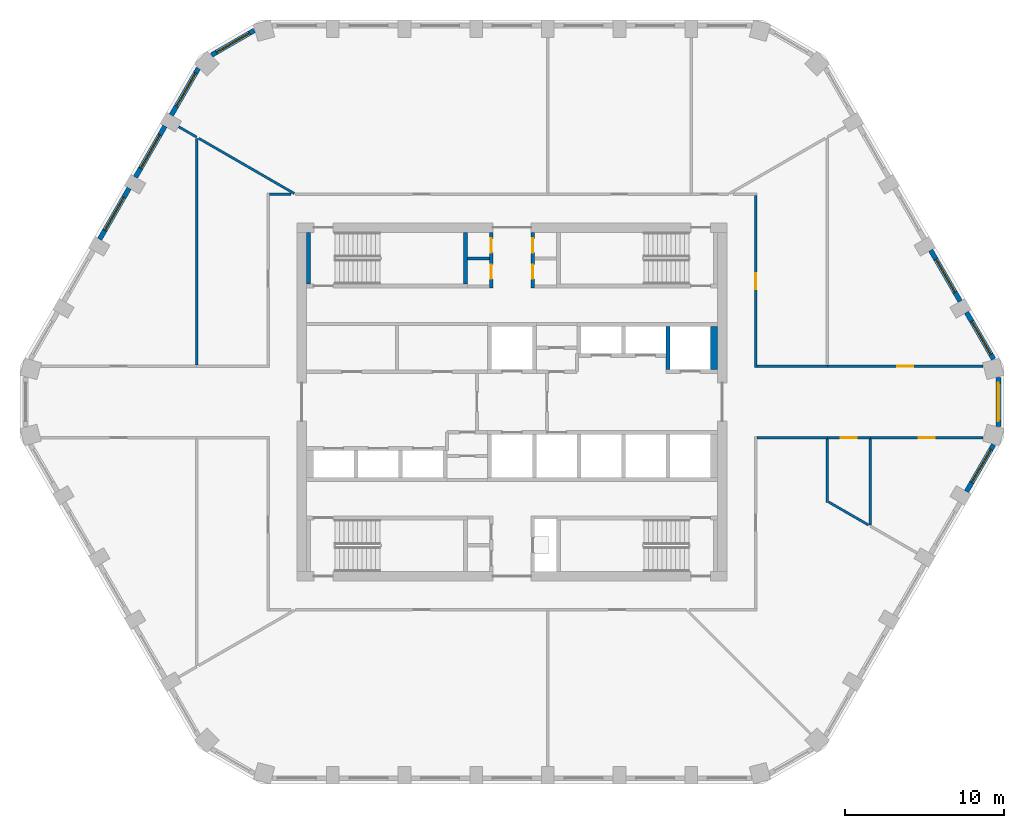
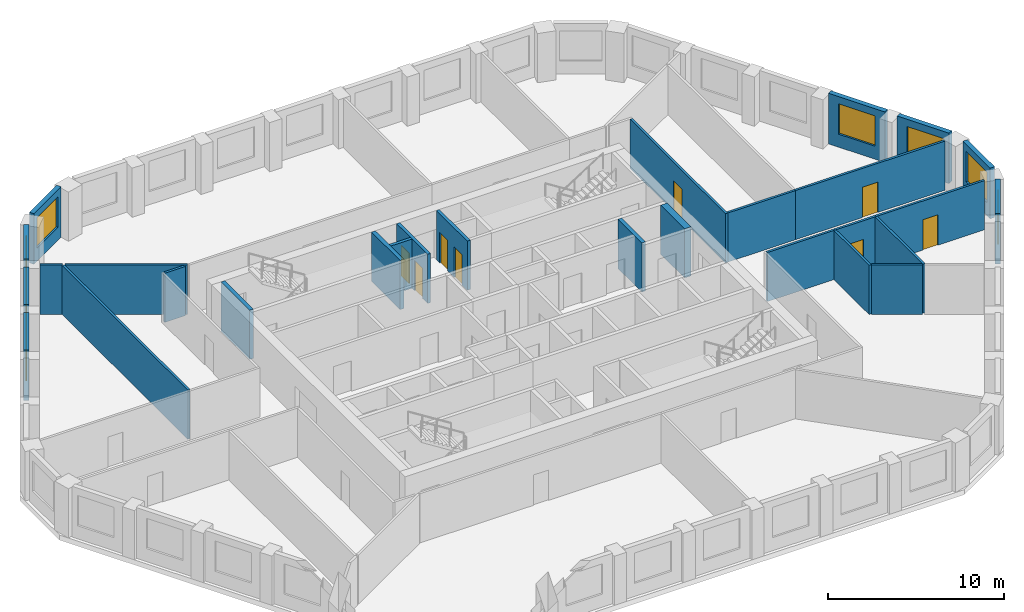
# One storey, part 5 of 8: 28 walls, 8 doors, 8 windows, 16 openings.
"""IFC4 building model written with IfcOpenShell, lengths in metres."""

from ifc_helpers import new_model, si_unit, direction, frame, frame_2d, origin, place, context, subcontext, project, spatial, polyline, rectangle, outline, extrude, material, layer, layer_set, type_object, element, fill, save


model = new_model("IFC4")

# Units and contexts
model_context = context("Model", 3, precision=1e-05, world=origin(), true_north=direction((0.0, 1.0)))
body_context = subcontext(model_context, "Body", "Model", "MODEL_VIEW")
ifc_project = project(units=[si_unit("LENGTHUNIT", "METRE"), si_unit("AREAUNIT", "SQUARE_METRE"), si_unit("VOLUMEUNIT", "CUBIC_METRE"), si_unit("PLANEANGLEUNIT", "RADIAN"), si_unit("MASSUNIT", "GRAM", prefix="KILO")], contexts=[model_context])

# Site, building, storey
site_placement = place(None, origin())
site = spatial("IfcSite", under=ifc_project, at=site_placement, CompositionType="ELEMENT")
building_placement = place(site_placement, origin())
building = spatial("IfcBuilding", under=site, at=building_placement, Name="Dhurran Vertical Campus", CompositionType="ELEMENT")
storey_placement = place(building_placement, frame((0.0, 0.0, 226.800048828125)))
storey = spatial("IfcBuildingStorey", under=building, at=storey_placement, Name="L56", CompositionType="ELEMENT", Elevation=226.800048828125)

# Wall, opening, window
ifc_material_1 = material(Name="Precast concrete C50/60", Category="concrete")
ifc_layer_1 = layer(ifc_material_1, 0.300048828125)
ifc_layer_set_1 = layer_set([ifc_layer_1], Name="Precast concrete C50/60")
wall_type_1 = type_object("IfcWallType", Name="Precast spandrel wall 300", PredefinedType="SOLIDWALL", material=ifc_layer_set_1)
wall_1_placement = place(storey_placement, frame((28.544189453125, -5.625244140625, 0.0), z_axis=(0.0, 0.0, 1.0), x_axis=(0.500012868213, 0.866017974191, 0.0)))
wall_1 = element("IfcWall", 1, at=wall_1_placement, inside=storey, type_object=wall_type_1, Name="EW1 L56.12", PredefinedType="SOLIDWALL", context=body_context, shape_type="SweptSolid", body=[
    extrude(rectangle(XDim=3.39599609375, YDim=0.300048828125, at=frame_2d((1.697998046875, 0.0))), origin(), (0.0, 0.0, 1.0), 3.5),
])
opening_1_placement = place(wall_1_placement, frame((0.6494140625, 0.0, 0.89990234375)))
opening_1 = element("IfcOpeningElement", 2, at=opening_1_placement, cuts=wall_1, Name="Opening WT1", PredefinedType="OPENING", context=body_context, shape_type="SweptSolid", body=[
    extrude(rectangle(XDim=2.39990234375, YDim=2.10009765625, at=frame_2d((1.199951171875, 1.050048828125))), frame((0.0, 0.159912109375, 0.0), z_axis=(0.0, -1.0, 0.0), x_axis=(1.0, 0.0, 0.0)), (0.0, 0.0, 1.0), 0.320068359375),
])
ifc_material_2 = material(Name="Aluminium frame with solar-control glass", Category="aluminium")
window_type = type_object("IfcWindowType", Name="Punched window 2400 x 2100", PartitioningType="SINGLE_PANEL", PredefinedType="WINDOW", material=ifc_material_2)
window_1_placement = place(opening_1_placement, origin())
window_1 = element("IfcWindow", 3, at=window_1_placement, inside=storey, type_object=window_type, Name="WT1 L56.12", OverallHeight=2.10009765625, OverallWidth=2.39990234375, PartitioningType="SINGLE_PANEL", PredefinedType="WINDOW", context=body_context, shape_type="SweptSolid", body=[
    extrude(rectangle(XDim=2.39990234375, YDim=2.10009765625, at=frame_2d((1.199951171875, 1.050048828125))), frame((0.0, 0.030029296875, 0.0), z_axis=(0.0, -1.0, 0.0), x_axis=(1.0, 0.0, 0.0)), (0.0, 0.0, 1.0), 0.06005859375),
])
fill(opening_1, window_1)

wall_2_placement = place(storey_placement, frame((30.547119140625, -1.54638671875, 0.0), z_axis=(0.0, 0.0, 1.0), x_axis=(0.0, 1.0, 0.0)))
wall_2 = element("IfcWall", 4, at=wall_2_placement, inside=storey, type_object=wall_type_1, Name="EW1 L56.13", PredefinedType="SOLIDWALL", context=body_context, shape_type="SweptSolid", body=[
    extrude(rectangle(XDim=3.0927734375, YDim=0.300048828125, at=frame_2d((1.54638671875, 0.0))), origin(), (0.0, 0.0, 1.0), 3.5),
])
opening_2_placement = place(wall_2_placement, frame((0.34619140625, 0.0, 0.89990234375)))
opening_2 = element("IfcOpeningElement", 5, at=opening_2_placement, cuts=wall_2, Name="Opening WT1", PredefinedType="OPENING", context=body_context, shape_type="SweptSolid", body=[
    extrude(rectangle(XDim=2.39990234375, YDim=2.10009765625, at=frame_2d((1.199951171875, 1.050048828125))), frame((0.0, 0.159912109375, 0.0), z_axis=(0.0, -1.0, 0.0), x_axis=(1.0, 0.0, 0.0)), (0.0, 0.0, 1.0), 0.320068359375),
])
window_2_placement = place(opening_2_placement, origin())
window_2 = element("IfcWindow", 6, at=window_2_placement, inside=storey, type_object=window_type, Name="WT1 L56.13", OverallHeight=2.10009765625, OverallWidth=2.39990234375, PartitioningType="SINGLE_PANEL", PredefinedType="WINDOW", context=body_context, shape_type="SweptSolid", body=[
    extrude(rectangle(XDim=2.39990234375, YDim=2.10009765625, at=frame_2d((1.199951171875, 1.050048828125))), frame((0.0, 0.030029296875, 0.0), z_axis=(0.0, -1.0, 0.0), x_axis=(1.0, 0.0, 0.0)), (0.0, 0.0, 1.0), 0.06005859375),
])
fill(opening_2, window_2)

wall_3_placement = place(storey_placement, frame((30.2421875, 2.684326171875, 0.0), z_axis=(0.0, 0.0, 1.0), x_axis=(-0.500012868213, 0.866017974191, 0.0)))
wall_3 = element("IfcWall", 7, at=wall_3_placement, inside=storey, type_object=wall_type_1, Name="EW1 L56.14", PredefinedType="SOLIDWALL", context=body_context, shape_type="SweptSolid", body=[
    extrude(rectangle(XDim=3.39599609375, YDim=0.300048828125, at=frame_2d((1.697998046875, 0.0))), origin(), (0.0, 0.0, 1.0), 3.5),
])
opening_3_placement = place(wall_3_placement, frame((0.346435546875, 0.0, 0.89990234375)))
opening_3 = element("IfcOpeningElement", 8, at=opening_3_placement, cuts=wall_3, Name="Opening WT1", PredefinedType="OPENING", context=body_context, shape_type="SweptSolid", body=[
    extrude(rectangle(XDim=2.39990234375, YDim=2.10009765625, at=frame_2d((1.199951171875, 1.050048828125))), frame((0.0, 0.159912109375, 0.0), z_axis=(0.0, -1.0, 0.0), x_axis=(1.0, 0.0, 0.0)), (0.0, 0.0, 1.0), 0.320068359375),
])
window_3_placement = place(opening_3_placement, origin())
window_3 = element("IfcWindow", 9, at=window_3_placement, inside=storey, type_object=window_type, Name="WT1 L56.14", OverallHeight=2.10009765625, OverallWidth=2.39990234375, PartitioningType="SINGLE_PANEL", PredefinedType="WINDOW", context=body_context, shape_type="SweptSolid", body=[
    extrude(rectangle(XDim=2.39990234375, YDim=2.10009765625, at=frame_2d((1.199951171875, 1.050048828125))), frame((0.0, 0.030029296875, 0.0), z_axis=(0.0, -1.0, 0.0), x_axis=(1.0, 0.0, 0.0)), (0.0, 0.0, 1.0), 0.06005859375),
])
fill(opening_3, window_3)

wall_4_placement = place(storey_placement, frame((28.143798828125, 6.319091796875, 0.0), z_axis=(0.0, 0.0, 1.0), x_axis=(-0.500029062817, 0.866008623709, 0.0)))
wall_4 = element("IfcWall", 10, at=wall_4_placement, inside=storey, type_object=wall_type_1, Name="EW1 L56.15", PredefinedType="SOLIDWALL", context=body_context, shape_type="SweptSolid", body=[
    extrude(rectangle(XDim=3.698974609375, YDim=0.300048828125, at=frame_2d((1.849609375, 0.0))), origin(), (0.0, 0.0, 1.0), 3.5),
])
opening_4_placement = place(wall_4_placement, frame((0.6494140625, 0.0, 0.89990234375)))
opening_4 = element("IfcOpeningElement", 11, at=opening_4_placement, cuts=wall_4, Name="Opening WT1", PredefinedType="OPENING", context=body_context, shape_type="SweptSolid", body=[
    extrude(rectangle(XDim=2.39990234375, YDim=2.10009765625, at=frame_2d((1.199951171875, 1.050048828125))), frame((0.0, 0.159912109375, 0.0), z_axis=(0.0, -1.0, 0.0), x_axis=(1.0, 0.0, 0.0)), (0.0, 0.0, 1.0), 0.320068359375),
])
window_4_placement = place(opening_4_placement, origin())
window_4 = element("IfcWindow", 12, at=window_4_placement, inside=storey, type_object=window_type, Name="WT1 L56.15", OverallHeight=2.10009765625, OverallWidth=2.39990234375, PartitioningType="SINGLE_PANEL", PredefinedType="WINDOW", context=body_context, shape_type="SweptSolid", body=[
    extrude(rectangle(XDim=2.39990234375, YDim=2.10009765625, at=frame_2d((1.199951171875, 1.050048828125))), frame((0.0, 0.030029296875, 0.0), z_axis=(0.0, -1.0, 0.0), x_axis=(1.0, 0.0, 0.0)), (0.0, 0.0, 1.0), 0.06005859375),
])
fill(opening_4, window_4)

wall_5_placement = place(storey_placement, frame((-16.184326171875, 23.330810546875, 0.0), z_axis=(0.0, 0.0, 1.0), x_axis=(-0.865994975416, -0.500052699777, 0.0)))
wall_5 = element("IfcWall", 13, at=wall_5_placement, inside=storey, type_object=wall_type_1, Name="EW1 L56.27", PredefinedType="SOLIDWALL", context=body_context, shape_type="SweptSolid", body=[
    extrude(rectangle(XDim=3.093017578125, YDim=0.300048828125, at=frame_2d((1.54638671875, 0.0))), origin(), (0.0, 0.0, 1.0), 3.5),
])
opening_5_placement = place(wall_5_placement, frame((0.346435546875, 0.0, 0.89990234375)))
opening_5 = element("IfcOpeningElement", 14, at=opening_5_placement, cuts=wall_5, Name="Opening WT1", PredefinedType="OPENING", context=body_context, shape_type="SweptSolid", body=[
    extrude(rectangle(XDim=2.39990234375, YDim=2.10009765625, at=frame_2d((1.199951171875, 1.050048828125))), frame((0.0, 0.159912109375, 0.0), z_axis=(0.0, -1.0, 0.0), x_axis=(1.0, 0.0, 0.0)), (0.0, 0.0, 1.0), 0.320068359375),
])
window_5_placement = place(opening_5_placement, origin())
window_5 = element("IfcWindow", 15, at=window_5_placement, inside=storey, type_object=window_type, Name="WT1 L56.27", OverallHeight=2.10009765625, OverallWidth=2.39990234375, PartitioningType="SINGLE_PANEL", PredefinedType="WINDOW", context=body_context, shape_type="SweptSolid", body=[
    extrude(rectangle(XDim=2.39990234375, YDim=2.10009765625, at=frame_2d((1.199951171875, 1.050048828125))), frame((0.0, 0.030029296875, 0.0), z_axis=(0.0, -1.0, 0.0), x_axis=(1.0, 0.0, 0.0)), (0.0, 0.0, 1.0), 0.06005859375),
])
fill(opening_5, window_5)

wall_6_placement = place(storey_placement, frame((-19.69580078125, 20.951171875, 0.0), z_axis=(0.0, 0.0, 1.0), x_axis=(-0.500012868213, -0.866017974191, 0.0)))
wall_6 = element("IfcWall", 16, at=wall_6_placement, inside=storey, type_object=wall_type_1, Name="EW1 L56.28", PredefinedType="SOLIDWALL", context=body_context, shape_type="SweptSolid", body=[
    extrude(rectangle(XDim=3.39599609375, YDim=0.300048828125, at=frame_2d((1.697998046875, 0.0))), origin(), (0.0, 0.0, 1.0), 3.5),
])
opening_6_placement = place(wall_6_placement, frame((0.346435546875, 0.0, 0.89990234375)))
opening_6 = element("IfcOpeningElement", 17, at=opening_6_placement, cuts=wall_6, Name="Opening WT1", PredefinedType="OPENING", context=body_context, shape_type="SweptSolid", body=[
    extrude(rectangle(XDim=2.39990234375, YDim=2.10009765625, at=frame_2d((1.199951171875, 1.050048828125))), frame((0.0, 0.159912109375, 0.0), z_axis=(0.0, -1.0, 0.0), x_axis=(1.0, 0.0, 0.0)), (0.0, 0.0, 1.0), 0.320068359375),
])
window_6_placement = place(opening_6_placement, origin())
window_6 = element("IfcWindow", 18, at=window_6_placement, inside=storey, type_object=window_type, Name="WT1 L56.28", OverallHeight=2.10009765625, OverallWidth=2.39990234375, PartitioningType="SINGLE_PANEL", PredefinedType="WINDOW", context=body_context, shape_type="SweptSolid", body=[
    extrude(rectangle(XDim=2.39990234375, YDim=2.10009765625, at=frame_2d((1.199951171875, 1.050048828125))), frame((0.0, 0.030029296875, 0.0), z_axis=(0.0, -1.0, 0.0), x_axis=(1.0, 0.0, 0.0)), (0.0, 0.0, 1.0), 0.06005859375),
])
fill(opening_6, window_6)

wall_7_placement = place(storey_placement, frame((-21.794189453125, 17.316650390625, 0.0), z_axis=(0.0, 0.0, 1.0), x_axis=(-0.500029062817, -0.866008623709, 0.0)))
wall_7 = element("IfcWall", 19, at=wall_7_placement, inside=storey, type_object=wall_type_1, Name="EW1 L56.29", PredefinedType="SOLIDWALL", context=body_context, shape_type="SweptSolid", body=[
    extrude(rectangle(XDim=3.698974609375, YDim=0.300048828125, at=frame_2d((1.849609375, 0.0))), origin(), (0.0, 0.0, 1.0), 3.5),
])
opening_7_placement = place(wall_7_placement, frame((0.6494140625, 0.0, 0.89990234375)))
opening_7 = element("IfcOpeningElement", 20, at=opening_7_placement, cuts=wall_7, Name="Opening WT1", PredefinedType="OPENING", context=body_context, shape_type="SweptSolid", body=[
    extrude(rectangle(XDim=2.39990234375, YDim=2.10009765625, at=frame_2d((1.199951171875, 1.050048828125))), frame((0.0, 0.159912109375, 0.0), z_axis=(0.0, -1.0, 0.0), x_axis=(1.0, 0.0, 0.0)), (0.0, 0.0, 1.0), 0.320068359375),
])
window_7_placement = place(opening_7_placement, origin())
window_7 = element("IfcWindow", 21, at=window_7_placement, inside=storey, type_object=window_type, Name="WT1 L56.29", OverallHeight=2.10009765625, OverallWidth=2.39990234375, PartitioningType="SINGLE_PANEL", PredefinedType="WINDOW", context=body_context, shape_type="SweptSolid", body=[
    extrude(rectangle(XDim=2.39990234375, YDim=2.10009765625, at=frame_2d((1.199951171875, 1.050048828125))), frame((0.0, 0.030029296875, 0.0), z_axis=(0.0, -1.0, 0.0), x_axis=(1.0, 0.0, 0.0)), (0.0, 0.0, 1.0), 0.06005859375),
])
fill(opening_7, window_7)

wall_8_placement = place(storey_placement, frame((-24.044189453125, 13.41943359375, 0.0), z_axis=(0.0, 0.0, 1.0), x_axis=(-0.500029062817, -0.866008623709, 0.0)))
wall_8 = element("IfcWall", 22, at=wall_8_placement, inside=storey, type_object=wall_type_1, Name="EW1 L56.30", PredefinedType="SOLIDWALL", context=body_context, shape_type="SweptSolid", body=[
    extrude(rectangle(XDim=3.698974609375, YDim=0.300048828125, at=frame_2d((1.849609375, 0.0))), origin(), (0.0, 0.0, 1.0), 3.5),
])
opening_8_placement = place(wall_8_placement, frame((0.6494140625, 0.0, 0.89990234375)))
opening_8 = element("IfcOpeningElement", 23, at=opening_8_placement, cuts=wall_8, Name="Opening WT1", PredefinedType="OPENING", context=body_context, shape_type="SweptSolid", body=[
    extrude(rectangle(XDim=2.39990234375, YDim=2.10009765625, at=frame_2d((1.199951171875, 1.050048828125))), frame((0.0, 0.159912109375, 0.0), z_axis=(0.0, -1.0, 0.0), x_axis=(1.0, 0.0, 0.0)), (0.0, 0.0, 1.0), 0.320068359375),
])
window_8_placement = place(opening_8_placement, origin())
window_8 = element("IfcWindow", 24, at=window_8_placement, inside=storey, type_object=window_type, Name="WT1 L56.30", OverallHeight=2.10009765625, OverallWidth=2.39990234375, PartitioningType="SINGLE_PANEL", PredefinedType="WINDOW", context=body_context, shape_type="SweptSolid", body=[
    extrude(rectangle(XDim=2.39990234375, YDim=2.10009765625, at=frame_2d((1.199951171875, 1.050048828125))), frame((0.0, 0.030029296875, 0.0), z_axis=(0.0, -1.0, 0.0), x_axis=(1.0, 0.0, 0.0)), (0.0, 0.0, 1.0), 0.06005859375),
])
fill(opening_8, window_8)

# Wall
ifc_material_3 = material(Name="Fire-rated masonry blockwork", Category="masonry")
ifc_layer_2 = layer(ifc_material_3, 0.199951171875)
ifc_layer_set_2 = layer_set([ifc_layer_2], Name="Fire-rated masonry blockwork")
wall_type_2 = type_object("IfcWallType", Name="co-FIRE-PARTITION-200", PredefinedType="PARTITIONING", material=ifc_layer_set_2)
wall_9_placement = place(storey_placement, frame((-2.800048828125, 9.0, 0.0), z_axis=(0.0, 0.0, 1.0), x_axis=(1.0, 0.0, 0.0)))
element("IfcWall", 25, at=wall_9_placement, inside=storey, type_object=wall_type_2, Name="Core partition sl-NW-cut0 L56", PredefinedType="PARTITIONING", context=body_context, shape_type="SweptSolid", body=[
    extrude(rectangle(XDim=1.400146484375, YDim=0.199951171875, at=frame_2d((0.7001953125, 0.0))), origin(), (0.0, 0.0, 1.0), 3.39990234375),
])

# Wall, openings, doors
wall_10_placement = place(storey_placement, frame((-1.300048828125, 7.14990234375, 0.0), z_axis=(0.0, 0.0, 1.0), x_axis=(0.0, 1.0, 0.0)))
wall_10 = element("IfcWall", 26, at=wall_10_placement, inside=storey, type_object=wall_type_2, Name="Core partition vest-NW L56", PredefinedType="PARTITIONING", context=body_context, shape_type="SweptSolid", body=[
    extrude(rectangle(XDim=3.5, YDim=0.199951171875, at=frame_2d((1.75, 0.0))), origin(), (0.0, 0.0, 1.0), 3.39990234375),
])
opening_9_placement = place(wall_10_placement, frame((0.574951171875, 0.0, 0.0)))
opening_9 = element("IfcOpeningElement", 27, at=opening_9_placement, cuts=wall_10, Name="Opening T16-C4", PredefinedType="OPENING", context=body_context, shape_type="SweptSolid", body=[
    extrude(rectangle(XDim=0.89990234375, YDim=2.10009765625, at=frame_2d((0.449951171875, 1.050048828125))), frame((0.0, 0.10986328125, 0.0), z_axis=(0.0, -1.0, 0.0), x_axis=(1.0, 0.0, 0.0)), (0.0, 0.0, 1.0), 0.219970703125),
])
opening_10_placement = place(wall_10_placement, frame((2.22509765625, 0.0, 0.0)))
opening_10 = element("IfcOpeningElement", 28, at=opening_10_placement, cuts=wall_10, Name="Opening T16-C5", PredefinedType="OPENING", context=body_context, shape_type="SweptSolid", body=[
    extrude(rectangle(XDim=0.89990234375, YDim=2.10009765625, at=frame_2d((0.449951171875, 1.050048828125))), frame((0.0, 0.10986328125, 0.0), z_axis=(0.0, -1.0, 0.0), x_axis=(1.0, 0.0, 0.0)), (0.0, 0.0, 1.0), 0.219970703125),
])
ifc_material_4 = material(Name="Fire-rated timber door set", Category="wood")
door_type_1 = type_object("IfcDoorType", Name="co-D-ROOM 900x2100", OperationType="SINGLE_SWING_LEFT", PredefinedType="DOOR", material=ifc_material_4)
door_1_placement = place(opening_9_placement, origin())
door_1 = element("IfcDoor", 29, at=door_1_placement, inside=storey, type_object=door_type_1, Name="Fire equipment store door L56", OperationType="SINGLE_SWING_LEFT", OverallHeight=2.10009765625, OverallWidth=0.89990234375, PredefinedType="DOOR", context=body_context, shape_type="SweptSolid", body=[
    extrude(rectangle(XDim=0.89990234375, YDim=2.10009765625, at=frame_2d((0.449951171875, 1.050048828125))), frame((0.0, 0.02490234375, 0.0), z_axis=(0.0, -1.0, 0.0), x_axis=(1.0, 0.0, 0.0)), (0.0, 0.0, 1.0), 0.050048828125),
])
fill(opening_9, door_1)
door_2_placement = place(opening_10_placement, origin())
door_2 = element("IfcDoor", 30, at=door_2_placement, inside=storey, type_object=door_type_1, Name="Cleaner's store door L56", OperationType="SINGLE_SWING_LEFT", OverallHeight=2.10009765625, OverallWidth=0.89990234375, PredefinedType="DOOR", context=body_context, shape_type="SweptSolid", body=[
    extrude(rectangle(XDim=0.89990234375, YDim=2.10009765625, at=frame_2d((0.449951171875, 1.050048828125))), frame((0.0, 0.02490234375, 0.0), z_axis=(0.0, -1.0, 0.0), x_axis=(1.0, 0.0, 0.0)), (0.0, 0.0, 1.0), 0.050048828125),
])
fill(opening_10, door_2)

wall_11_placement = place(storey_placement, frame((1.300048828125, 7.14990234375, 0.0), z_axis=(0.0, 0.0, 1.0), x_axis=(0.0, 1.0, 0.0)))
wall_11 = element("IfcWall", 31, at=wall_11_placement, inside=storey, type_object=wall_type_2, Name="Core partition vest-NE L56", PredefinedType="PARTITIONING", context=body_context, shape_type="SweptSolid", body=[
    extrude(rectangle(XDim=3.5, YDim=0.199951171875, at=frame_2d((1.75, 0.0))), origin(), (0.0, 0.0, 1.0), 3.39990234375),
])
opening_11_placement = place(wall_11_placement, frame((0.574951171875, 0.0, 0.0)))
opening_11 = element("IfcOpeningElement", 32, at=opening_11_placement, cuts=wall_11, Name="Opening T16-C6", PredefinedType="OPENING", context=body_context, shape_type="SweptSolid", body=[
    extrude(rectangle(XDim=0.89990234375, YDim=2.10009765625, at=frame_2d((0.449951171875, 1.050048828125))), frame((0.0, 0.10986328125, 0.0), z_axis=(0.0, -1.0, 0.0), x_axis=(1.0, 0.0, 0.0)), (0.0, 0.0, 1.0), 0.219970703125),
])
opening_12_placement = place(wall_11_placement, frame((2.22509765625, 0.0, 0.0)))
opening_12 = element("IfcOpeningElement", 33, at=opening_12_placement, cuts=wall_11, Name="Opening T16-C7", PredefinedType="OPENING", context=body_context, shape_type="SweptSolid", body=[
    extrude(rectangle(XDim=0.89990234375, YDim=2.10009765625, at=frame_2d((0.449951171875, 1.050048828125))), frame((0.0, 0.10986328125, 0.0), z_axis=(0.0, -1.0, 0.0), x_axis=(1.0, 0.0, 0.0)), (0.0, 0.0, 1.0), 0.219970703125),
])
door_3_placement = place(opening_11_placement, origin())
door_3 = element("IfcDoor", 34, at=door_3_placement, inside=storey, type_object=door_type_1, Name="Housekeeping store door L56", OperationType="SINGLE_SWING_LEFT", OverallHeight=2.10009765625, OverallWidth=0.89990234375, PredefinedType="DOOR", context=body_context, shape_type="SweptSolid", body=[
    extrude(rectangle(XDim=0.89990234375, YDim=2.10009765625, at=frame_2d((0.449951171875, 1.050048828125))), frame((0.0, 0.02490234375, 0.0), z_axis=(0.0, -1.0, 0.0), x_axis=(1.0, 0.0, 0.0)), (0.0, 0.0, 1.0), 0.050048828125),
])
fill(opening_11, door_3)
door_4_placement = place(opening_12_placement, origin())
door_4 = element("IfcDoor", 35, at=door_4_placement, inside=storey, type_object=door_type_1, Name="Waste room door L56", OperationType="SINGLE_SWING_LEFT", OverallHeight=2.10009765625, OverallWidth=0.89990234375, PredefinedType="DOOR", context=body_context, shape_type="SweptSolid", body=[
    extrude(rectangle(XDim=0.89990234375, YDim=2.10009765625, at=frame_2d((0.449951171875, 1.050048828125))), frame((0.0, 0.02490234375, 0.0), z_axis=(0.0, -1.0, 0.0), x_axis=(1.0, 0.0, 0.0)), (0.0, 0.0, 1.0), 0.050048828125),
])
fill(opening_12, door_4)

# Walls
ifc_material_5 = material(Name="Concrete C50/60", Category="concrete")
ifc_layer_3 = layer(ifc_material_5, 0.25)
ifc_layer_set_3 = layer_set([ifc_layer_3], Name="Concrete C50/60")
wall_type_3 = type_object("IfcWallType", Name="co-SHAFT-MASS-250", PredefinedType="SHEAR", material=ifc_layer_set_3)
wall_12_placement = place(storey_placement, origin())
element("IfcWall", 36, at=wall_12_placement, inside=storey, type_object=wall_type_3, Name="Lift shaft wall N L56 5", PredefinedType="SHEAR", context=body_context, shape_type="SweptSolid", body=[
    extrude(outline(polyline([(9.675048828125, 2.050048828125), (9.925048828125, 2.050048828125), (9.925048828125, 4.75), (9.675048828125, 4.75), (9.675048828125, 2.050048828125)])), origin(), (0.0, 0.0, 1.0), 3.39990234375),
])
wall_13_placement = place(storey_placement, origin())
element("IfcWall", 37, at=wall_13_placement, inside=storey, type_object=wall_type_3, Name="Lift shaft wall N L56 6", PredefinedType="SHEAR", context=body_context, shape_type="SweptSolid", body=[
    extrude(outline(polyline([(12.47509765625, 2.050048828125), (12.89990234375, 2.050048828125), (12.89990234375, 4.75), (12.47509765625, 4.75), (12.47509765625, 2.050048828125)])), origin(), (0.0, 0.0, 1.0), 3.39990234375),
])
ifc_material_6 = material(Name="Concrete C40/50", Category="concrete")
ifc_layer_4 = layer(ifc_material_6, 0.25)
ifc_layer_set_4 = layer_set([ifc_layer_4], Name="Concrete C40/50")
wall_type_4 = type_object("IfcWallType", Name="co-STAIR-WALL-250", PredefinedType="SHEAR", material=ifc_layer_set_4)
for number, where, z_axis, x_axis, name in (
    (38, (-12.77490234375, 7.39990234375, 0.0), (0.0, 0.0, 1.0), (0.0, 1.0, 0.0), "Stair ST1 enclosure wall L56"),
    (39, (-2.925048828125, 7.39990234375, 0.0), (0.0, 0.0, 1.0), (0.0, 1.0, 0.0), "Stair ST1 enclosure wall L56"),
):
    element("IfcWall", number, at=place(storey_placement, frame(where, z_axis=z_axis, x_axis=x_axis)), inside=storey, type_object=wall_type_4, Name=name, PredefinedType="SHEAR", context=body_context, shape_type="SweptSolid", body=[
        extrude(rectangle(XDim=3.25, YDim=0.25, at=frame_2d((1.625, 0.0))), origin(), (0.0, 0.0, 1.0), 3.39990234375),
    ])
ifc_material_7 = material(Name="Gypsum board corridor wall on steel studs", Category="steel")
ifc_layer_5 = layer(ifc_material_7, 0.14990234375)
ifc_layer_set_5 = layer_set([ifc_layer_5], Name="Gypsum board corridor wall on steel studs")
wall_type_5 = type_object("IfcWallType", Name="fl-CW-150 corridor wall", PredefinedType="PARTITIONING", material=ifc_layer_set_5)
wall_14_placement = place(storey_placement, frame((-13.8779296875, 13.050048828125, 0.0), z_axis=(0.0, 0.0, 1.0), x_axis=(-1.0, 0.0, 0.0)))
element("IfcWall", 40, at=wall_14_placement, inside=storey, type_object=wall_type_5, Name="Partition 56-14", PredefinedType="PARTITIONING", context=body_context, shape_type="SweptSolid", body=[
    extrude(rectangle(XDim=1.34716796875, YDim=0.14990234375, at=frame_2d((0.673583984375, 0.0))), origin(), (0.0, 0.0, 1.0), 3.39990234375),
])
wall_15_placement = place(storey_placement, frame((19.800048828125, -2.25, 0.0), z_axis=(0.0, 0.0, 1.0), x_axis=(-1.0, 0.0, 0.0)))
element("IfcWall", 41, at=wall_15_placement, inside=storey, type_object=wall_type_5, Name="Partition 56-28", PredefinedType="PARTITIONING", context=body_context, shape_type="SweptSolid", body=[
    extrude(rectangle(XDim=4.425048828125, YDim=0.14990234375, at=frame_2d((2.21240234375, 0.0))), origin(), (0.0, 0.0, 1.0), 3.39990234375),
])

# Wall, opening, door
wall_16_placement = place(storey_placement, frame((15.300048828125, 2.175048828125, 0.0), z_axis=(0.0, 0.0, 1.0), x_axis=(0.0, 1.0, 0.0)))
wall_16 = element("IfcWall", 42, at=wall_16_placement, inside=storey, type_object=wall_type_5, Name="Partition 56-29", PredefinedType="PARTITIONING", context=body_context, shape_type="SweptSolid", body=[
    extrude(rectangle(XDim=10.800048828125, YDim=0.14990234375, at=frame_2d((5.39990234375, 0.0))), origin(), (0.0, 0.0, 1.0), 3.39990234375),
])
opening_13_placement = place(wall_16_placement, frame((4.89990234375, 0.0, 0.0)))
opening_13 = element("IfcOpeningElement", 43, at=opening_13_placement, cuts=wall_16, Name="Opening T16.10", PredefinedType="OPENING", context=body_context, shape_type="SweptSolid", body=[
    extrude(rectangle(XDim=1.0, YDim=2.10009765625, at=frame_2d((0.5, 1.050048828125))), frame((0.0, 0.0849609375, 0.0), z_axis=(0.0, -1.0, 0.0), x_axis=(1.0, 0.0, 0.0)), (0.0, 0.0, 1.0), 0.169921875),
])
ifc_material_8 = material(Name="Solid-core timber door set, fire-rated", Category="wood")
door_type_2 = type_object("IfcDoorType", Name="fl-D-1000x2100", OperationType="SINGLE_SWING_LEFT", PredefinedType="DOOR", material=ifc_material_8)
door_5_placement = place(opening_13_placement, origin())
door_5 = element("IfcDoor", 44, at=door_5_placement, inside=storey, type_object=door_type_2, Name="Door 56.10", OperationType="SINGLE_SWING_RIGHT", OverallHeight=2.10009765625, OverallWidth=1.0, PredefinedType="DOOR", context=body_context, shape_type="SweptSolid", body=[
    extrude(rectangle(XDim=1.0, YDim=2.10009765625, at=frame_2d((0.5, 1.050048828125))), frame((0.0, 0.02490234375, 0.0), z_axis=(0.0, -1.0, 0.0), x_axis=(1.0, 0.0, 0.0)), (0.0, 0.0, 1.0), 0.050048828125),
])
fill(opening_13, door_5)

# Wall
wall_17_placement = place(storey_placement, frame((15.375, 2.25, 0.0), z_axis=(0.0, 0.0, 1.0), x_axis=(1.0, 0.0, 0.0)))
element("IfcWall", 45, at=wall_17_placement, inside=storey, type_object=wall_type_5, Name="Partition 56-30", PredefinedType="PARTITIONING", context=body_context, shape_type="SweptSolid", body=[
    extrude(rectangle(XDim=4.425048828125, YDim=0.14990234375, at=frame_2d((2.21240234375, 0.0))), origin(), (0.0, 0.0, 1.0), 3.39990234375),
])

# Wall, opening, door
wall_18_placement = place(storey_placement, frame((22.5, -2.25, 0.0), z_axis=(0.0, 0.0, 1.0), x_axis=(-1.0, 0.0, 0.0)))
wall_18 = element("IfcWall", 46, at=wall_18_placement, inside=storey, type_object=wall_type_5, Name="Partition 56-33", PredefinedType="PARTITIONING", context=body_context, shape_type="SweptSolid", body=[
    extrude(rectangle(XDim=2.699951171875, YDim=0.14990234375, at=frame_2d((1.35009765625, 0.0))), origin(), (0.0, 0.0, 1.0), 3.39990234375),
])
opening_14_placement = place(wall_18_placement, frame((0.85009765625, 0.0, 0.0)))
opening_14 = element("IfcOpeningElement", 47, at=opening_14_placement, cuts=wall_18, Name="Opening T16.12", PredefinedType="OPENING", context=body_context, shape_type="SweptSolid", body=[
    extrude(rectangle(XDim=1.0, YDim=2.10009765625, at=frame_2d((0.5, 1.050048828125))), frame((0.0, 0.0849609375, 0.0), z_axis=(0.0, -1.0, 0.0), x_axis=(1.0, 0.0, 0.0)), (0.0, 0.0, 1.0), 0.169921875),
])
door_6_placement = place(opening_14_placement, origin())
door_6 = element("IfcDoor", 48, at=door_6_placement, inside=storey, type_object=door_type_2, Name="Door 56.12", OperationType="SINGLE_SWING_LEFT", OverallHeight=2.10009765625, OverallWidth=1.0, PredefinedType="DOOR", context=body_context, shape_type="SweptSolid", body=[
    extrude(rectangle(XDim=1.0, YDim=2.10009765625, at=frame_2d((0.5, 1.050048828125))), frame((0.0, 0.02490234375, 0.0), z_axis=(0.0, -1.0, 0.0), x_axis=(1.0, 0.0, 0.0)), (0.0, 0.0, 1.0), 0.050048828125),
])
fill(opening_14, door_6)

wall_19_placement = place(storey_placement, frame((19.800048828125, 2.25, 0.0), z_axis=(0.0, 0.0, 1.0), x_axis=(1.0, 0.0, 0.0)))
wall_19 = element("IfcWall", 49, at=wall_19_placement, inside=storey, type_object=wall_type_5, Name="Partition 56-35", PredefinedType="PARTITIONING", context=body_context, shape_type="SweptSolid", body=[
    extrude(rectangle(XDim=9.784912109375, YDim=0.14990234375, at=frame_2d((4.892578125, 0.0))), origin(), (0.0, 0.0, 1.0), 3.39990234375),
])
opening_15_placement = place(wall_19_placement, frame((4.392578125, 0.0, 0.0)))
opening_15 = element("IfcOpeningElement", 50, at=opening_15_placement, cuts=wall_19, Name="Opening T16.13", PredefinedType="OPENING", context=body_context, shape_type="SweptSolid", body=[
    extrude(rectangle(XDim=1.0, YDim=2.10009765625, at=frame_2d((0.5, 1.050048828125))), frame((0.0, 0.0849609375, 0.0), z_axis=(0.0, -1.0, 0.0), x_axis=(1.0, 0.0, 0.0)), (0.0, 0.0, 1.0), 0.169921875),
])
door_7_placement = place(opening_15_placement, origin())
door_7 = element("IfcDoor", 51, at=door_7_placement, inside=storey, type_object=door_type_2, Name="Door 56.13", OperationType="SINGLE_SWING_RIGHT", OverallHeight=2.10009765625, OverallWidth=1.0, PredefinedType="DOOR", context=body_context, shape_type="SweptSolid", body=[
    extrude(rectangle(XDim=1.0, YDim=2.10009765625, at=frame_2d((0.5, 1.050048828125))), frame((0.0, 0.02490234375, 0.0), z_axis=(0.0, -1.0, 0.0), x_axis=(1.0, 0.0, 0.0)), (0.0, 0.0, 1.0), 0.050048828125),
])
fill(opening_15, door_7)

wall_20_placement = place(storey_placement, frame((29.5849609375, -2.25, 0.0), z_axis=(0.0, 0.0, 1.0), x_axis=(-1.0, 0.0, 0.0)))
wall_20 = element("IfcWall", 52, at=wall_20_placement, inside=storey, type_object=wall_type_5, Name="Partition 56-39", PredefinedType="PARTITIONING", context=body_context, shape_type="SweptSolid", body=[
    extrude(rectangle(XDim=7.0849609375, YDim=0.14990234375, at=frame_2d((3.54248046875, 0.0))), origin(), (0.0, 0.0, 1.0), 3.39990234375),
])
opening_16_placement = place(wall_20_placement, frame((3.04248046875, 0.0, 0.0)))
opening_16 = element("IfcOpeningElement", 53, at=opening_16_placement, cuts=wall_20, Name="Opening T16.14", PredefinedType="OPENING", context=body_context, shape_type="SweptSolid", body=[
    extrude(rectangle(XDim=1.0, YDim=2.10009765625, at=frame_2d((0.5, 1.050048828125))), frame((0.0, 0.0849609375, 0.0), z_axis=(0.0, -1.0, 0.0), x_axis=(1.0, 0.0, 0.0)), (0.0, 0.0, 1.0), 0.169921875),
])
door_8_placement = place(opening_16_placement, origin())
door_8 = element("IfcDoor", 54, at=door_8_placement, inside=storey, type_object=door_type_2, Name="Door 56.14", OperationType="SINGLE_SWING_LEFT", OverallHeight=2.10009765625, OverallWidth=1.0, PredefinedType="DOOR", context=body_context, shape_type="SweptSolid", body=[
    extrude(rectangle(XDim=1.0, YDim=2.10009765625, at=frame_2d((0.5, 1.050048828125))), frame((0.0, 0.02490234375, 0.0), z_axis=(0.0, -1.0, 0.0), x_axis=(1.0, 0.0, 0.0)), (0.0, 0.0, 1.0), 0.050048828125),
])
fill(opening_16, door_8)

# Walls
ifc_material_9 = material(Name="Gypsum board partition on steel studs", Category="steel")
ifc_layer_6 = layer(ifc_material_9, 0.14990234375)
ifc_layer_set_6 = layer_set([ifc_layer_6], Name="Gypsum board partition on steel studs")
wall_type_6 = type_object("IfcWallType", Name="fl-PW-150 fixed partition", PredefinedType="PARTITIONING", material=ifc_layer_set_6)
wall_21_placement = place(storey_placement, frame((-20.92724609375, 17.2783203125, 0.0), z_axis=(0.0, 0.0, 1.0), x_axis=(0.866157475642, -0.499771175029, 0.0)))
element("IfcWall", 55, at=wall_21_placement, inside=storey, type_object=wall_type_6, Name="Partition 56-04", PredefinedType="PARTITIONING", context=body_context, shape_type="SweptSolid", body=[
    extrude(rectangle(XDim=1.30126953125, YDim=0.14990234375, at=frame_2d((0.650634765625, 0.0))), origin(), (0.0, 0.0, 1.0), 3.39990234375),
])
wall_22_placement = place(storey_placement, frame((-19.800048828125, 16.552978515625, 0.0), z_axis=(0.0, 0.0, 1.0), x_axis=(0.0, -1.0, 0.0)))
element("IfcWall", 56, at=wall_22_placement, inside=storey, type_object=wall_type_6, Name="Partition 56-08", PredefinedType="PARTITIONING", context=body_context, shape_type="SweptSolid", body=[
    extrude(rectangle(XDim=14.22802734375, YDim=0.14990234375, at=frame_2d((7.114013671875, 0.0))), origin(), (0.0, 0.0, 1.0), 3.39990234375),
])
wall_23_placement = place(storey_placement, frame((-19.6875, 16.56298828125, 0.0), z_axis=(0.0, 0.0, 1.0), x_axis=(0.866012448988, -0.500022437694, 0.0)))
element("IfcWall", 57, at=wall_23_placement, inside=storey, type_object=wall_type_6, Name="Partition 56-10", PredefinedType="PARTITIONING", context=body_context, shape_type="SweptSolid", body=[
    extrude(rectangle(XDim=6.950927734375, YDim=0.14990234375, at=frame_2d((3.4755859375, 0.0))), origin(), (0.0, 0.0, 1.0), 3.39990234375),
])
wall_24_placement = place(storey_placement, frame((19.800048828125, -2.324951171875, 0.0), z_axis=(0.0, 0.0, 1.0), x_axis=(0.0, -1.0, 0.0)))
element("IfcWall", 58, at=wall_24_placement, inside=storey, type_object=wall_type_6, Name="Partition 56-31", PredefinedType="PARTITIONING", context=body_context, shape_type="SweptSolid", body=[
    extrude(rectangle(XDim=3.985107421875, YDim=0.14990234375, at=frame_2d((1.99267578125, 0.0))), origin(), (0.0, 0.0, 1.0), 3.39990234375),
])
wall_25_placement = place(storey_placement, frame((19.88671875, -6.284912109375, 0.0), z_axis=(0.0, 0.0, 1.0), x_axis=(0.865981426562, -0.500076163049, 0.0)))
element("IfcWall", 59, at=wall_25_placement, inside=storey, type_object=wall_type_6, Name="Partition 56-32", PredefinedType="PARTITIONING", context=body_context, shape_type="SweptSolid", body=[
    extrude(rectangle(XDim=2.8876953125, YDim=0.14990234375, at=frame_2d((1.44384765625, 0.0))), origin(), (0.0, 0.0, 1.0), 3.39990234375),
])
wall_26_placement = place(storey_placement, frame((22.5, -2.324951171875, 0.0), z_axis=(0.0, 0.0, 1.0), x_axis=(0.0, -1.0, 0.0)))
element("IfcWall", 60, at=wall_26_placement, inside=storey, type_object=wall_type_6, Name="Partition 56-37", PredefinedType="PARTITIONING", context=body_context, shape_type="SweptSolid", body=[
    extrude(rectangle(XDim=5.39404296875, YDim=0.14990234375, at=frame_2d((2.697021484375, 0.0))), origin(), (0.0, 0.0, 1.0), 3.39990234375),
])

save(model, "model.ifc")
